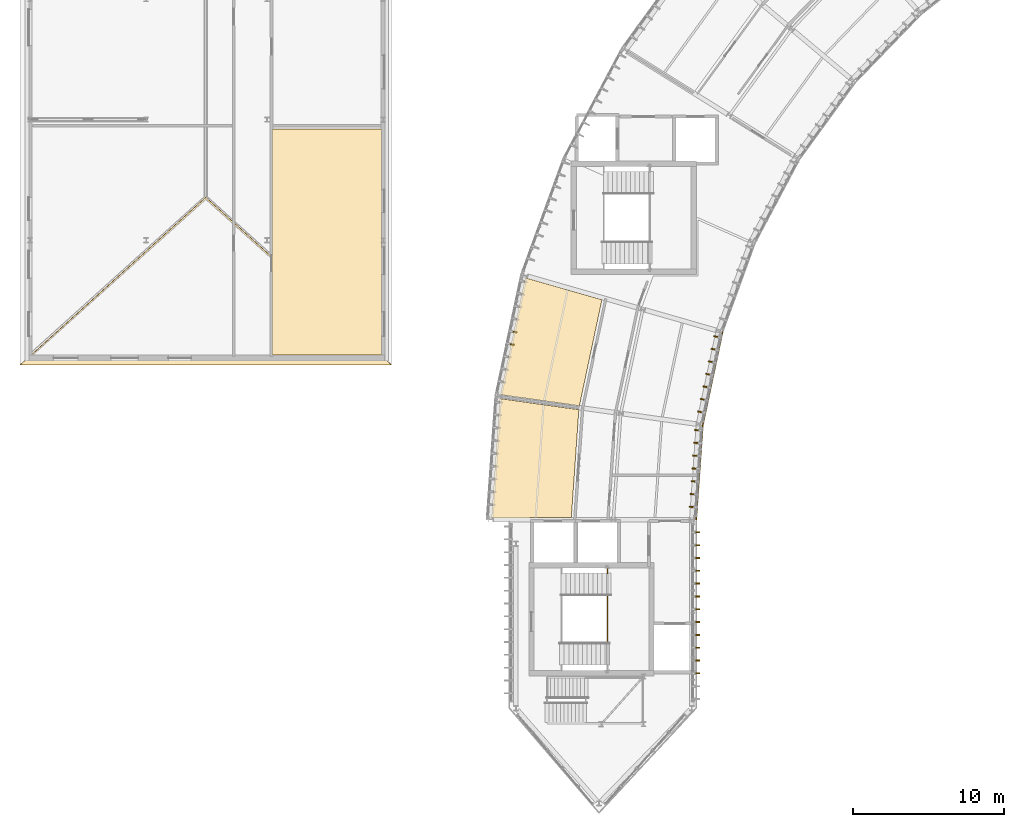
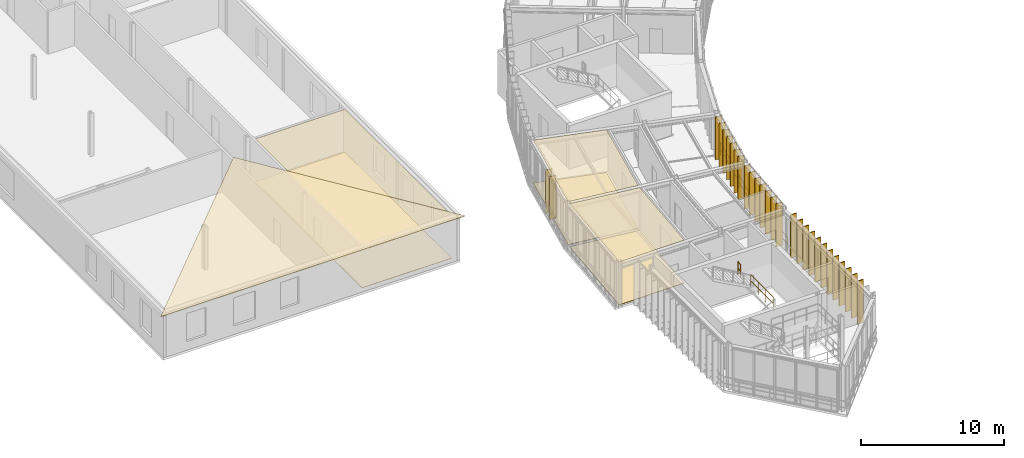
# One storey, part 37 of 42: 35 coverings, 4 railings.
"""IFC4 building model written with IfcOpenShell, lengths in metres."""

from ifc_helpers import new_model, si_unit, direction, frame, origin, origin_2d, place, context, subcontext, project, spatial, polyline, rectangle, circle, outline, extrude, material, layer, layer_set, type_object, element, save


model = new_model("IFC4")

# Units and contexts
model_context = context("Model", 3, precision=1e-05, world=origin(), true_north=direction((0.0, 1.0)))
body_context = subcontext(model_context, "Body", "Model", "MODEL_VIEW")
ifc_project = project(units=[si_unit("LENGTHUNIT", "METRE"), si_unit("AREAUNIT", "SQUARE_METRE"), si_unit("VOLUMEUNIT", "CUBIC_METRE"), si_unit("PLANEANGLEUNIT", "RADIAN"), si_unit("MASSUNIT", "GRAM", prefix="KILO"), si_unit("THERMODYNAMICTEMPERATUREUNIT", "KELVIN"), si_unit("POWERUNIT", "WATT")], contexts=[model_context])

# Site, building, storey
site_placement = place(None, origin())
site = spatial("IfcSite", under=ifc_project, at=site_placement, CompositionType="ELEMENT")
building_placement = place(site_placement, origin())
building = spatial("IfcBuilding", under=site, at=building_placement, Name="Solvatero Civic Police Headquarters", CompositionType="ELEMENT")
storey_placement = place(building_placement, frame((0.0, 0.0, 21.60009765625)))
storey = spatial("IfcBuildingStorey", under=building, at=storey_placement, Name="L05", CompositionType="ELEMENT", Elevation=21.60009765625)

# Coverings
ifc_material_1 = material(Name="Mineral-Fibre Acoustic Tile", Category="gypsum")
ifc_layer_1 = layer(ifc_material_1, 0.02490234375)
ifc_layer_set_1 = layer_set([ifc_layer_1], Name="Mineral-Fibre Acoustic Tile")
covering_type_1 = type_object("IfcCoveringType", Name="COV-CEIL-AC", PredefinedType="CEILING", material=ifc_layer_set_1)
covering_1_placement = place(storey_placement, frame((0.0, 0.0, 3.6748046875)))
element("IfcCovering", 1, at=covering_1_placement, inside=storey, type_object=covering_type_1, Name="Acoustic Ceiling Forensic Accreditation Quality-Assurance Suite", PredefinedType="CEILING", context=body_context, shape_type="SweptSolid", body=[
    extrude(outline(polyline([(28.080078125, 51.8798828125), (28.080078125, 36.919921875), (20.820068359375, 36.919921875), (20.820068359375, 51.8798828125), (28.080078125, 51.8798828125)])), origin(), (0.0, 0.0, 1.0), 0.025146484375),
])
covering_2_placement = place(storey_placement, frame((0.0, 0.0, 3.6748046875)))
element("IfcCovering", 2, at=covering_2_placement, inside=storey, type_object=covering_type_1, Name="Acoustic Ceiling Personnel Vetting and Training Admin Bay 11", PredefinedType="CEILING", context=body_context, shape_type="SweptSolid", body=[
    extrude(outline(polyline([(41.203857421875, 33.541259765625), (35.9658203125, 34.27734375), (37.6123046875, 42.023193359375), (42.69677734375, 40.565185546875), (41.203857421875, 33.541259765625)])), origin(), (0.0, 0.0, 1.0), 0.025146484375),
])
covering_3_placement = place(storey_placement, frame((0.0, 0.0, 3.6748046875)))
element("IfcCovering", 3, at=covering_3_placement, inside=storey, type_object=covering_type_1, Name="Acoustic Ceiling Personnel Vetting and Training Admin Bay 12", PredefinedType="CEILING", context=body_context, shape_type="SweptSolid", body=[
    extrude(outline(polyline([(35.378662109375, 26.1201171875), (35.93115234375, 34.01953125), (41.1689453125, 33.28369140625), (40.66943359375, 26.139892578125), (37.93994140625, 26.139892578125), (37.93212890625, 26.1396484375), (37.92431640625, 26.138427734375), (37.916748046875, 26.13671875), (37.909423828125, 26.1337890625), (37.90234375, 26.130615234375), (37.8955078125, 26.12646484375), (37.88916015625, 26.121826171875), (37.88720703125, 26.1201171875), (35.378662109375, 26.1201171875)])), origin(), (0.0, 0.0, 1.0), 0.025146484375),
])
ifc_material_2 = material(Name="Anodized Bronze Aluminium", Category="aluminium")
ifc_layer_2 = layer(ifc_material_2, 0.080078125)
ifc_layer_set_2 = layer_set([ifc_layer_2], Name="Anodized Bronze Aluminium")
covering_type_2 = type_object("IfcCoveringType", Name="COV-FIN-480", PredefinedType="CLADDING", material=ifc_layer_set_2)
for number, where, z_axis, x_axis, name in (
    (4, (36.81298828125, 38.453125, -0.02001953125), (0.0, 0.0, 1.0), (-0.207911690818, -0.978147600734, 0.0), "Vertical Brise-Soleil Fin 1162"),
    (5, (36.63623046875, 37.621826171875, -0.02001953125), (0.0, 0.0, 1.0), (-0.207911690818, -0.978147600734, 0.0), "Vertical Brise-Soleil Fin 1163"),
    (6, (50.342529296875, 38.104736328125, -0.02001953125), (0.0, 0.0, 1.0), (-0.20789461889, -0.978151229328, 0.0), "Vertical Brise-Soleil Fin 1167"),
    (7, (50.166015625, 37.2734375, -0.02001953125), (0.0, 0.0, 1.0), (-0.20789461889, -0.978151229328, 0.0), "Vertical Brise-Soleil Fin 1168"),
    (8, (49.989013671875, 36.44189453125, -0.02001953125), (0.0, 0.0, 1.0), (-0.20789461889, -0.978151229328, 0.0), "Vertical Brise-Soleil Fin 1169"),
    (9, (49.8125, 35.610595703125, -0.02001953125), (0.0, 0.0, 1.0), (-0.20789461889, -0.978151229328, 0.0), "Vertical Brise-Soleil Fin 1170"),
    (10, (49.6357421875, 34.779052734375, -0.02001953125), (0.0, 0.0, 1.0), (-0.20789461889, -0.978151229328, 0.0), "Vertical Brise-Soleil Fin 1171"),
    (11, (49.458984375, 33.94775390625, -0.02001953125), (0.0, 0.0, 1.0), (-0.20789461889, -0.978151229328, 0.0), "Vertical Brise-Soleil Fin 1172"),
    (12, (49.2822265625, 33.1162109375, -0.02001953125), (0.0, 0.0, 1.0), (-0.20789461889, -0.978151229328, 0.0), "Vertical Brise-Soleil Fin 1173"),
    (13, (49.08349609375, 31.9208984375, -0.02001953125), (0.0, 0.0, 1.0), (-0.069773884511, -0.997562832628, 0.0), "Vertical Brise-Soleil Fin 1183"),
    (14, (49.0244140625, 31.072998046875, -0.02001953125), (0.0, 0.0, 1.0), (-0.069773884511, -0.997562832628, 0.0), "Vertical Brise-Soleil Fin 1184"),
    (15, (48.965087890625, 30.22509765625, -0.02001953125), (0.0, 0.0, 1.0), (-0.069773884511, -0.997562832628, 0.0), "Vertical Brise-Soleil Fin 1185"),
    (16, (48.90576171875, 29.377197265625, -0.02001953125), (0.0, 0.0, 1.0), (-0.069773884511, -0.997562832628, 0.0), "Vertical Brise-Soleil Fin 1186"),
    (17, (48.846435546875, 28.529296875, -0.02001953125), (0.0, 0.0, 1.0), (-0.069773884511, -0.997562832628, 0.0), "Vertical Brise-Soleil Fin 1187"),
    (18, (48.787109375, 27.681396484375, -0.02001953125), (0.0, 0.0, 1.0), (-0.069773884511, -0.997562832628, 0.0), "Vertical Brise-Soleil Fin 1188"),
    (19, (48.727783203125, 26.83349609375, -0.02001953125), (0.0, 0.0, 1.0), (-0.069773884511, -0.997562832628, 0.0), "Vertical Brise-Soleil Fin 1189"),
    (20, (48.929931640625, 15.81005859375, -0.02001953125), (0.0, 0.0, 1.0), (0.0, 1.0, 0.0), "Vertical Brise-Soleil Fin 1206"),
    (21, (48.929931640625, 16.659912109375, -0.02001953125), (0.0, 0.0, 1.0), (0.0, 1.0, 0.0), "Vertical Brise-Soleil Fin 1207"),
    (22, (48.929931640625, 17.510009765625, -0.02001953125), (0.0, 0.0, 1.0), (0.0, 1.0, 0.0), "Vertical Brise-Soleil Fin 1208"),
    (23, (48.929931640625, 18.360107421875, -0.02001953125), (0.0, 0.0, 1.0), (0.0, 1.0, 0.0), "Vertical Brise-Soleil Fin 1209"),
    (24, (48.929931640625, 19.2099609375, -0.02001953125), (0.0, 0.0, 1.0), (0.0, 1.0, 0.0), "Vertical Brise-Soleil Fin 1210"),
    (25, (48.929931640625, 20.06005859375, -0.02001953125), (0.0, 0.0, 1.0), (0.0, 1.0, 0.0), "Vertical Brise-Soleil Fin 1211"),
    (26, (48.929931640625, 20.909912109375, -0.02001953125), (0.0, 0.0, 1.0), (0.0, 1.0, 0.0), "Vertical Brise-Soleil Fin 1212"),
    (27, (48.929931640625, 21.760009765625, -0.02001953125), (0.0, 0.0, 1.0), (0.0, 1.0, 0.0), "Vertical Brise-Soleil Fin 1213"),
    (28, (48.929931640625, 22.610107421875, -0.02001953125), (0.0, 0.0, 1.0), (0.0, 1.0, 0.0), "Vertical Brise-Soleil Fin 1214"),
    (29, (48.929931640625, 23.4599609375, -0.02001953125), (0.0, 0.0, 1.0), (0.0, 1.0, 0.0), "Vertical Brise-Soleil Fin 1215"),
    (30, (48.929931640625, 24.31005859375, -0.02001953125), (0.0, 0.0, 1.0), (0.0, 1.0, 0.0), "Vertical Brise-Soleil Fin 1216"),
    (31, (48.929931640625, 25.159912109375, -0.02001953125), (0.0, 0.0, 1.0), (0.0, 1.0, 0.0), "Vertical Brise-Soleil Fin 1217"),
):
    element("IfcCovering", number, at=place(storey_placement, frame(where, z_axis=z_axis, x_axis=x_axis)), inside=storey, type_object=covering_type_2, Name=name, PredefinedType="CLADDING", context=body_context, shape_type="SweptSolid", body=[
        extrude(rectangle(XDim=0.080078125, YDim=0.47998046875, at=origin_2d()), origin(), (0.0, 0.0, 1.0), 3.679931640625),
    ])
ifc_material_3 = material(Name="Venetian Terrazzo Stone", Category="masonry")
ifc_layer_3 = layer(ifc_material_3, 0.034912109375)
ifc_layer_set_3 = layer_set([ifc_layer_3], Name="Venetian Terrazzo Stone")
covering_type_3 = type_object("IfcCoveringType", Name="COV-FLR-TER", PredefinedType="FLOORING", material=ifc_layer_set_3)
covering_4_placement = place(storey_placement, origin())
element("IfcCovering", 32, at=covering_4_placement, inside=storey, type_object=covering_type_3, Name="Flooring Forensic Accreditation Quality-Assurance Suite", PredefinedType="FLOORING", context=body_context, shape_type="SweptSolid", body=[
    extrude(outline(polyline([(28.080078125, 51.8798828125), (28.080078125, 36.919921875), (20.820068359375, 36.919921875), (20.820068359375, 51.8798828125), (28.080078125, 51.8798828125)])), origin(), (0.0, 0.0, 1.0), 0.034912109375),
])
covering_5_placement = place(storey_placement, origin())
element("IfcCovering", 33, at=covering_5_placement, inside=storey, type_object=covering_type_3, Name="Flooring Personnel Vetting and Training Admin Bay 11", PredefinedType="FLOORING", context=body_context, shape_type="SweptSolid", body=[
    extrude(outline(polyline([(41.203857421875, 33.541259765625), (35.9658203125, 34.27734375), (37.6123046875, 42.023193359375), (42.69677734375, 40.565185546875), (41.203857421875, 33.541259765625)])), origin(), (0.0, 0.0, 1.0), 0.034912109375),
])
covering_6_placement = place(storey_placement, origin())
element("IfcCovering", 34, at=covering_6_placement, inside=storey, type_object=covering_type_3, Name="Flooring Personnel Vetting and Training Admin Bay 12", PredefinedType="FLOORING", context=body_context, shape_type="SweptSolid", body=[
    extrude(outline(polyline([(35.378662109375, 26.1201171875), (35.93115234375, 34.01953125), (41.1689453125, 33.28369140625), (40.66943359375, 26.139892578125), (37.93994140625, 26.139892578125), (37.93212890625, 26.1396484375), (37.92431640625, 26.138427734375), (37.916748046875, 26.13671875), (37.909423828125, 26.1337890625), (37.90234375, 26.130615234375), (37.8955078125, 26.12646484375), (37.88916015625, 26.121826171875), (37.88720703125, 26.1201171875), (35.378662109375, 26.1201171875)])), origin(), (0.0, 0.0, 1.0), 0.034912109375),
])
ifc_material_4 = material(Name="Lombard Terracotta Clay Tile", Category="masonry")
ifc_layer_4 = layer(ifc_material_4, 0.06005859375)
ifc_layer_set_4 = layer_set([ifc_layer_4], Name="Lombard Terracotta Clay Tile")
covering_type_4 = type_object("IfcCoveringType", Name="COV-RF-TILE", PredefinedType="ROOFING", material=ifc_layer_set_4)
covering_7_placement = place(storey_placement, frame((4.139892578125, 36.239990234375, 3.829833984375), z_axis=(0.0, -0.226114118112, 0.974100819007), x_axis=(1.0, 0.0, 0.0)))
element("IfcCovering", 35, at=covering_7_placement, inside=storey, type_object=covering_type_4, Name="FOR Lombard Terracotta Hipped Roof Covering S", PredefinedType="ROOFING", context=body_context, shape_type="SweptSolid", body=[
    extrude(outline(polyline([(0.0, 0.0), (24.6201171875, 0.0), (12.31005859375, 11.410513180455782), (0.0, 0.0)])), origin(), (0.0, 0.0, -1.0), 0.06005859375),
])

# Railings
ifc_material_5 = material(Name="Anodized Bronze and Laminated Glass", Category="glass")
railing_type_1 = type_object("IfcRailingType", Name="RL-BAL-115", PredefinedType="BALUSTRADE", material=ifc_material_5)
railing_1_placement = place(storey_placement, frame((50.685546875, 38.420166015625, 0.0)))
element("IfcRailing", 36, at=railing_1_placement, inside=storey, type_object=railing_type_1, Name="Glazed Facade Sill Balustrade RL-L05-ARCIN-B11", PredefinedType="BALUSTRADE", context=body_context, shape_type="SweptSolid", body=[
    extrude(circle(Radius=0.02392578125, at=origin_2d()), frame((0.0, 0.0, 1.1259765625), z_axis=(-0.207924245306, -0.978144932111, 0.0), x_axis=(0.978144932111, -0.207924245306, 0.0)), (0.0, 0.0, 1.0), 6.28662109375),
    extrude(circle(Radius=0.02392578125, at=origin_2d()), frame((0.0, 0.0, 0.55078125), z_axis=(-0.207924245306, -0.978144932111, 0.0), x_axis=(0.978144932111, -0.207924245306, 0.0)), (0.0, 0.0, 1.0), 6.28662109375),
    extrude(circle(Radius=0.02099609375, at=origin_2d()), origin(), (0.0, 0.0, 1.0), 1.101806640625),
    extrude(circle(Radius=0.02099609375, at=origin_2d()), frame((-0.2177734375, -1.02490234375, 0.0)), (0.0, 0.0, 1.0), 1.101806640625),
    extrude(circle(Radius=0.02099609375, at=origin_2d()), frame((-0.435791015625, -2.0498046875, 0.0)), (0.0, 0.0, 1.0), 1.101806640625),
    extrude(circle(Radius=0.02099609375, at=origin_2d()), frame((-0.653564453125, -3.07470703125, 0.0)), (0.0, 0.0, 1.0), 1.101806640625),
    extrude(circle(Radius=0.02099609375, at=origin_2d()), frame((-0.871337890625, -4.099365234375, 0.0)), (0.0, 0.0, 1.0), 1.101806640625),
    extrude(circle(Radius=0.02099609375, at=origin_2d()), frame((-1.08935546875, -5.124267578125, 0.0)), (0.0, 0.0, 1.0), 1.101806640625),
    extrude(circle(Radius=0.02099609375, at=origin_2d()), frame((-1.30712890625, -6.149169921875, 0.0)), (0.0, 0.0, 1.0), 1.101806640625),
])
railing_2_placement = place(storey_placement, frame((49.37841796875, 32.27099609375, 0.0)))
element("IfcRailing", 37, at=railing_2_placement, inside=storey, type_object=railing_type_1, Name="Glazed Facade Sill Balustrade RL-L05-ARCIN-B12", PredefinedType="BALUSTRADE", context=body_context, shape_type="SweptSolid", body=[
    extrude(circle(Radius=0.02392578125, at=origin_2d()), frame((0.0, 0.0, 1.1259765625), z_axis=(-0.069751059496, -0.997564428846, 0.0), x_axis=(0.997564428846, -0.069751059496, 0.0)), (0.0, 0.0, 1.0), 6.286376953125),
    extrude(circle(Radius=0.02392578125, at=origin_2d()), frame((0.0, 0.0, 0.55078125), z_axis=(-0.069751059496, -0.997564428846, 0.0), x_axis=(0.997564428846, -0.069751059496, 0.0)), (0.0, 0.0, 1.0), 6.286376953125),
    extrude(circle(Radius=0.02099609375, at=origin_2d()), origin(), (0.0, 0.0, 1.0), 1.101806640625),
    extrude(circle(Radius=0.02099609375, at=origin_2d()), frame((-0.072998046875, -1.045166015625, 0.0)), (0.0, 0.0, 1.0), 1.101806640625),
    extrude(circle(Radius=0.02099609375, at=origin_2d()), frame((-0.146240234375, -2.09033203125, 0.0)), (0.0, 0.0, 1.0), 1.101806640625),
    extrude(circle(Radius=0.02099609375, at=origin_2d()), frame((-0.21923828125, -3.135498046875, 0.0)), (0.0, 0.0, 1.0), 1.101806640625),
    extrude(circle(Radius=0.02099609375, at=origin_2d()), frame((-0.292236328125, -4.1806640625, 0.0)), (0.0, 0.0, 1.0), 1.101806640625),
    extrude(circle(Radius=0.02099609375, at=origin_2d()), frame((-0.365478515625, -5.225830078125, 0.0)), (0.0, 0.0, 1.0), 1.101806640625),
    extrude(circle(Radius=0.02099609375, at=origin_2d()), frame((-0.4384765625, -6.27099609375, 0.0)), (0.0, 0.0, 1.0), 1.101806640625),
])
ifc_material_6 = material(Name="Painted Galvanized Steel", Category="steel")
railing_type_2 = type_object("IfcRailingType", Name="RL-GRD-110", PredefinedType="GUARDRAIL", material=ifc_material_6)
railing_3_placement = place(storey_placement, frame((43.070068359375, 17.830078125, 1.949951171875)))
element("IfcRailing", 38, at=railing_3_placement, inside=storey, type_object=railing_type_2, Name="ST-C1 L05 Half-Landing Well Guardrail", PredefinedType="GUARDRAIL", context=body_context, shape_type="SweptSolid", body=[
    extrude(circle(Radius=0.02392578125, at=origin_2d()), frame((0.0, 0.0, 1.09619140625), z_axis=(0.0, 1.0, 0.0), x_axis=(-1.0, 0.0, 0.0)), (0.0, 0.0, 1.0), 3.139892578125),
    extrude(circle(Radius=0.02392578125, at=origin_2d()), frame((0.0, 0.0, 0.5361328125), z_axis=(0.0, 1.0, 0.0), x_axis=(-1.0, 0.0, 0.0)), (0.0, 0.0, 1.0), 3.139892578125),
    extrude(circle(Radius=0.02099609375, at=origin_2d()), origin(), (0.0, 0.0, 1.0), 1.072021484375),
    extrude(circle(Radius=0.02099609375, at=origin_2d()), frame((0.0, 1.046630859375, 0.0)), (0.0, 0.0, 1.0), 1.072021484375),
    extrude(circle(Radius=0.02099609375, at=origin_2d()), frame((0.0, 2.09326171875, 0.0)), (0.0, 0.0, 1.0), 1.072021484375),
    extrude(circle(Radius=0.02099609375, at=origin_2d()), frame((0.0, 3.139892578125, 0.0)), (0.0, 0.0, 1.0), 1.072021484375),
])
railing_4_placement = place(storey_placement, frame((43.070068359375, 22.429931640625, 1.949951171875)))
element("IfcRailing", 39, at=railing_4_placement, inside=storey, type_object=railing_type_2, Name="ST-C1 L05 Half-Landing North Slot Guardrail", PredefinedType="GUARDRAIL", context=body_context, shape_type="SweptSolid", body=[
    extrude(circle(Radius=0.02392578125, at=origin_2d()), frame((0.0, 0.0, 1.09619140625), z_axis=(0.0, 1.0, 0.0), x_axis=(-1.0, 0.0, 0.0)), (0.0, 0.0, 1.0), 0.360107421875),
    extrude(circle(Radius=0.02392578125, at=origin_2d()), frame((0.0, 0.0, 0.5361328125), z_axis=(0.0, 1.0, 0.0), x_axis=(-1.0, 0.0, 0.0)), (0.0, 0.0, 1.0), 0.360107421875),
    extrude(circle(Radius=0.02099609375, at=origin_2d()), origin(), (0.0, 0.0, 1.0), 1.072021484375),
    extrude(circle(Radius=0.02099609375, at=origin_2d()), frame((0.0, 0.360107421875, 0.0)), (0.0, 0.0, 1.0), 1.072021484375),
])

save(model, "model.ifc")
